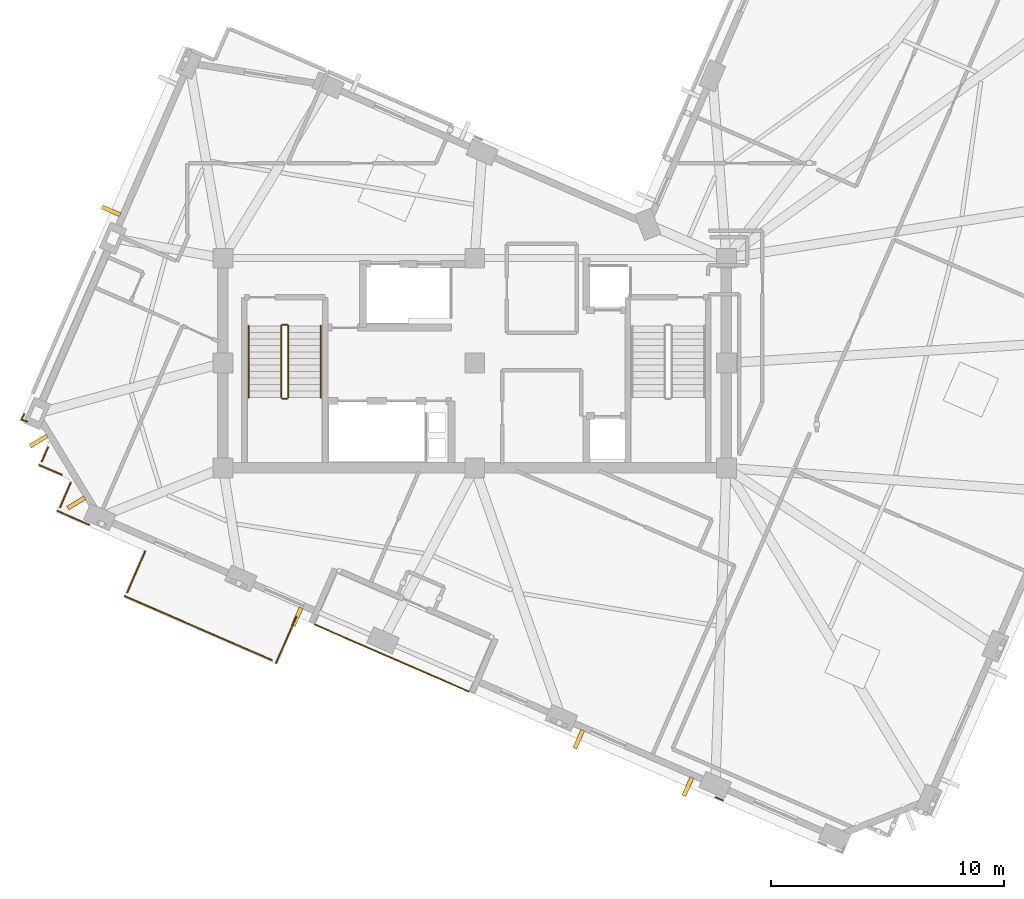
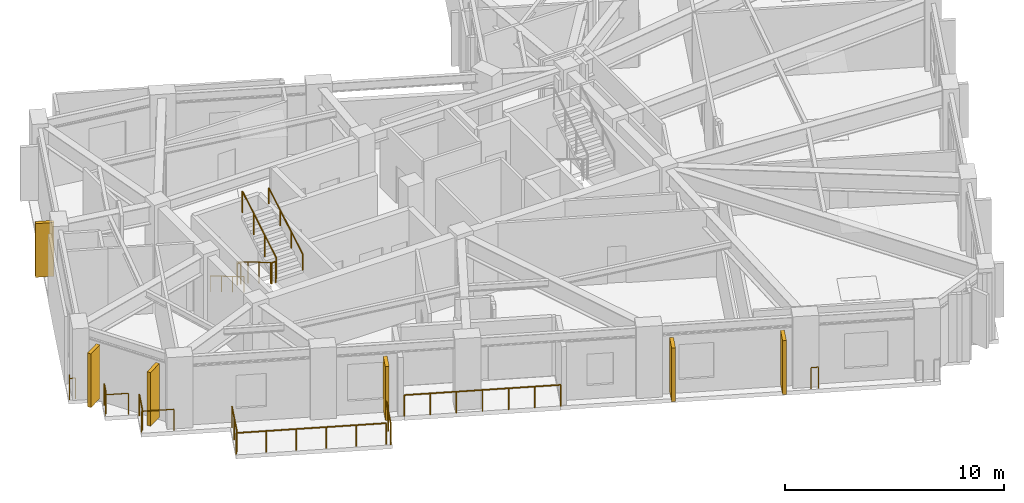
# One storey, part 9 of 12: 16 railings, 6 shading devices.
"""IFC4 building model written with IfcOpenShell, lengths in metres."""

from ifc_helpers import new_model, si_unit, direction, frame, origin, origin_2d, place, context, subcontext, project, spatial, rectangle, circle, extrude, material, layer, layer_set, type_object, element, save


model = new_model("IFC4")

# Units and contexts
model_context = context("Model", 3, precision=1e-05, world=origin(), true_north=direction((0.0, 1.0)))
body_context = subcontext(model_context, "Body", "Model", "MODEL_VIEW")
ifc_project = project(units=[si_unit("LENGTHUNIT", "METRE"), si_unit("AREAUNIT", "SQUARE_METRE"), si_unit("VOLUMEUNIT", "CUBIC_METRE"), si_unit("PLANEANGLEUNIT", "RADIAN"), si_unit("MASSUNIT", "GRAM", prefix="KILO")], contexts=[model_context])

# Site, building, storey
site_placement = place(None, origin())
site = spatial("IfcSite", under=ifc_project, at=site_placement, CompositionType="ELEMENT")
building_placement = place(site_placement, origin())
building = spatial("IfcBuilding", under=site, at=building_placement, Name="Gaonmaruhae Medical Tower", CompositionType="ELEMENT")
storey_placement = place(building_placement, frame((0.0, 0.0, 308.60009765625)))
storey = spatial("IfcBuildingStorey", under=building, at=storey_placement, Name="L74", CompositionType="ELEMENT", Elevation=308.60009765625)

# Railings
ifc_material_1 = material(Name="Stainless steel 316L and laminated safety glass", Category="steel")
ifc_layer = layer(ifc_material_1, 0.080078125)
ifc_layer_set = layer_set([ifc_layer], Name="Stainless steel 316L and laminated safety glass")
railing_type_1 = type_object("IfcRailingType", Name="GD-120 Outdoor Terrace Safety Glass & Steel Balustrade", PredefinedType="BALUSTRADE", material=ifc_layer_set)
railing_1_placement = place(storey_placement, frame((17.94140625, 1.076171875, 0.0)))
element("IfcRailing", 1, at=railing_1_placement, inside=storey, type_object=railing_type_1, Name="L74 Terrace Safety Guard RL-SLB-L74-TER-04", PredefinedType="BALUSTRADE", context=body_context, shape_type="SweptSolid", body=[
    extrude(circle(Radius=0.02392578125, at=origin_2d()), frame((0.0, 0.0, 1.17578125), z_axis=(0.91705388295, -0.398763307949, 0.0), x_axis=(0.398763307949, 0.91705388295, 0.0)), (0.0, 0.0, 1.0), 7.199951171875),
    extrude(circle(Radius=0.02099609375, at=origin_2d()), origin(), (0.0, 0.0, 1.0), 1.15185546875),
    extrude(circle(Radius=0.02099609375, at=origin_2d()), frame((1.1005859375, -0.478515625, 0.0)), (0.0, 0.0, 1.0), 1.15185546875),
    extrude(circle(Radius=0.02099609375, at=origin_2d()), frame((2.200927734375, -0.95703125, 0.0)), (0.0, 0.0, 1.0), 1.15185546875),
    extrude(circle(Radius=0.02099609375, at=origin_2d()), frame((3.30126953125, -1.435546875, 0.0)), (0.0, 0.0, 1.0), 1.15185546875),
    extrude(circle(Radius=0.02099609375, at=origin_2d()), frame((4.40185546875, -1.9140625, 0.0)), (0.0, 0.0, 1.0), 1.15185546875),
    extrude(circle(Radius=0.02099609375, at=origin_2d()), frame((5.50244140625, -2.392578125, 0.0)), (0.0, 0.0, 1.0), 1.15185546875),
    extrude(circle(Radius=0.02099609375, at=origin_2d()), frame((6.602783203125, -2.87109375, 0.0)), (0.0, 0.0, 1.0), 1.15185546875),
])
railing_2_placement = place(storey_placement, frame((7.085693359375, 7.50830078125, 0.0)))
element("IfcRailing", 2, at=railing_2_placement, inside=storey, type_object=railing_type_1, Name="L74 Perimeter Slab Edge Safety Balustrade 01", PredefinedType="BALUSTRADE", context=body_context, shape_type="SweptSolid", body=[
    extrude(circle(Radius=0.02392578125, at=origin_2d()), frame((0.0, 0.0, 1.17578125), z_axis=(-0.917059068991, 0.398751381166, 0.0), x_axis=(-0.398751381166, -0.917059068991, 0.0)), (0.0, 0.0, 1.0), 1.059814453125),
    extrude(circle(Radius=0.02099609375, at=origin_2d()), origin(), (0.0, 0.0, 1.0), 1.15185546875),
    extrude(circle(Radius=0.02099609375, at=origin_2d()), frame((-0.971923828125, 0.422607421875, 0.0)), (0.0, 0.0, 1.0), 1.15185546875),
])
railing_3_placement = place(storey_placement, frame((6.232666015625, 8.0791015625, 0.0)))
element("IfcRailing", 3, at=railing_3_placement, inside=storey, type_object=railing_type_1, Name="L74 Perimeter Slab Edge Safety Balustrade 02", PredefinedType="BALUSTRADE", context=body_context, shape_type="SweptSolid", body=[
    extrude(circle(Radius=0.02392578125, at=origin_2d()), frame((0.0, 0.0, 1.17578125), z_axis=(0.398644977145, 0.917105327755, 0.0), x_axis=(-0.917105327755, 0.398644977145, 0.0)), (0.0, 0.0, 1.0), 0.66015625),
    extrude(circle(Radius=0.02099609375, at=origin_2d()), origin(), (0.0, 0.0, 1.0), 1.15185546875),
    extrude(circle(Radius=0.02099609375, at=origin_2d()), frame((0.26318359375, 0.60546875, 0.0)), (0.0, 0.0, 1.0), 1.15185546875),
])
railing_4_placement = place(storey_placement, frame((35.453857421875, -6.4619140625, 0.0)))
element("IfcRailing", 4, at=railing_4_placement, inside=storey, type_object=railing_type_1, Name="L74 Perimeter Slab Edge Safety Balustrade 10", PredefinedType="BALUSTRADE", context=body_context, shape_type="SweptSolid", body=[
    extrude(circle(Radius=0.02392578125, at=origin_2d()), frame((0.0, 0.0, 1.17578125), z_axis=(-0.917081518132, 0.398699748056, 0.0), x_axis=(-0.398699748056, -0.917081518132, 0.0)), (0.0, 0.0, 1.0), 0.338623046875),
    extrude(circle(Radius=0.02099609375, at=origin_2d()), origin(), (0.0, 0.0, 1.0), 1.15185546875),
    extrude(circle(Radius=0.02099609375, at=origin_2d()), frame((-0.310546875, 0.135009765625, 0.0)), (0.0, 0.0, 1.0), 1.15185546875),
])
railing_5_placement = place(storey_placement, frame((17.135498046875, 1.40478515625, 0.0)))
element("IfcRailing", 5, at=railing_5_placement, inside=storey, type_object=railing_type_1, Name="L74 Perimeter Slab Edge Safety Balustrade 11", PredefinedType="BALUSTRADE", context=body_context, shape_type="SweptSolid", body=[
    extrude(circle(Radius=0.02392578125, at=origin_2d()), frame((0.0, 0.0, 1.17578125), z_axis=(-0.398688910619, -0.917086229615, 0.0), x_axis=(0.917086229615, -0.398688910619, 0.0)), (0.0, 0.0, 1.0), 2.15966796875),
    extrude(circle(Radius=0.02099609375, at=origin_2d()), origin(), (0.0, 0.0, 1.0), 1.15185546875),
    extrude(circle(Radius=0.02099609375, at=origin_2d()), frame((-0.4306640625, -0.990234375, 0.0)), (0.0, 0.0, 1.0), 1.15185546875),
    extrude(circle(Radius=0.02099609375, at=origin_2d()), frame((-0.861083984375, -1.980712890625, 0.0)), (0.0, 0.0, 1.0), 1.15185546875),
])
railing_6_placement = place(storey_placement, frame((16.1015625, -0.446533203125, 0.0)))
element("IfcRailing", 6, at=railing_6_placement, inside=storey, type_object=railing_type_1, Name="L74 Perimeter Slab Edge Safety Balustrade 12", PredefinedType="BALUSTRADE", context=body_context, shape_type="SweptSolid", body=[
    extrude(circle(Radius=0.02392578125, at=origin_2d()), frame((0.0, 0.0, 1.17578125), z_axis=(-0.917066118473, 0.398735168187, 0.0), x_axis=(-0.398735168187, -0.917066118473, 0.0)), (0.0, 0.0, 1.0), 6.89990234375),
    extrude(circle(Radius=0.02099609375, at=origin_2d()), origin(), (0.0, 0.0, 1.0), 1.15185546875),
    extrude(circle(Radius=0.02099609375, at=origin_2d()), frame((-1.265625, 0.55029296875, 0.0)), (0.0, 0.0, 1.0), 1.15185546875),
    extrude(circle(Radius=0.02099609375, at=origin_2d()), frame((-2.531005859375, 1.1005859375, 0.0)), (0.0, 0.0, 1.0), 1.15185546875),
    extrude(circle(Radius=0.02099609375, at=origin_2d()), frame((-3.796630859375, 1.650634765625, 0.0)), (0.0, 0.0, 1.0), 1.15185546875),
    extrude(circle(Radius=0.02099609375, at=origin_2d()), frame((-5.06201171875, 2.200927734375, 0.0)), (0.0, 0.0, 1.0), 1.15185546875),
    extrude(circle(Radius=0.02099609375, at=origin_2d()), frame((-6.32763671875, 2.751220703125, 0.0)), (0.0, 0.0, 1.0), 1.15185546875),
])
railing_7_placement = place(storey_placement, frame((9.89501953125, 2.457763671875, 0.0)))
element("IfcRailing", 7, at=railing_7_placement, inside=storey, type_object=railing_type_1, Name="L74 Perimeter Slab Edge Safety Balustrade 13", PredefinedType="BALUSTRADE", context=body_context, shape_type="SweptSolid", body=[
    extrude(circle(Radius=0.02392578125, at=origin_2d()), frame((0.0, 0.0, 1.17578125), z_axis=(0.398698235913, 0.917082175533, 0.0), x_axis=(-0.917082175533, 0.398698235913, 0.0)), (0.0, 0.0, 1.0), 1.921630859375),
    extrude(circle(Radius=0.02099609375, at=origin_2d()), origin(), (0.0, 0.0, 1.0), 1.15185546875),
    extrude(circle(Radius=0.02099609375, at=origin_2d()), frame((0.383056640625, 0.881103515625, 0.0)), (0.0, 0.0, 1.0), 1.15185546875),
    extrude(circle(Radius=0.02099609375, at=origin_2d()), frame((0.76611328125, 1.76220703125, 0.0)), (0.0, 0.0, 1.0), 1.15185546875),
])
railing_8_placement = place(storey_placement, frame((8.254150390625, 5.36474609375, 0.0)))
element("IfcRailing", 8, at=railing_8_placement, inside=storey, type_object=railing_type_1, Name="L74 Perimeter Slab Edge Safety Balustrade 14", PredefinedType="BALUSTRADE", context=body_context, shape_type="SweptSolid", body=[
    extrude(circle(Radius=0.02392578125, at=origin_2d()), frame((0.0, 0.0, 1.17578125), z_axis=(-0.917067444308, 0.398732118835, 0.0), x_axis=(-0.398732118835, -0.917067444308, 0.0)), (0.0, 0.0, 1.0), 1.486083984375),
    extrude(circle(Radius=0.02099609375, at=origin_2d()), origin(), (0.0, 0.0, 1.0), 1.15185546875),
    extrude(circle(Radius=0.02099609375, at=origin_2d()), frame((-1.36279296875, 0.592529296875, 0.0)), (0.0, 0.0, 1.0), 1.15185546875),
])
railing_9_placement = place(storey_placement, frame((7.01025390625, 6.10546875, 0.0)))
element("IfcRailing", 9, at=railing_9_placement, inside=storey, type_object=railing_type_1, Name="L74 Perimeter Slab Edge Safety Balustrade 15", PredefinedType="BALUSTRADE", context=body_context, shape_type="SweptSolid", body=[
    extrude(circle(Radius=0.02392578125, at=origin_2d()), frame((0.0, 0.0, 1.17578125), z_axis=(0.398664536879, 0.917096825333, 0.0), x_axis=(-0.917096825333, 0.398664536879, 0.0)), (0.0, 0.0, 1.0), 1.159912109375),
    extrude(circle(Radius=0.02099609375, at=origin_2d()), origin(), (0.0, 0.0, 1.0), 1.15185546875),
    extrude(circle(Radius=0.02099609375, at=origin_2d()), frame((0.46240234375, 1.063720703125, 0.0)), (0.0, 0.0, 1.0), 1.15185546875),
])
railing_10_placement = place(storey_placement, frame((5.611572265625, 9.78515625, 0.0)))
element("IfcRailing", 10, at=railing_10_placement, inside=storey, type_object=railing_type_1, Name="L74 Perimeter Corner Safety Balustrade 16", PredefinedType="BALUSTRADE", context=body_context, shape_type="SweptSolid", body=[
    extrude(circle(Radius=0.02392578125, at=origin_2d()), frame((0.0, 0.0, 1.17578125), z_axis=(-0.958849549831, 0.28391467167, 0.0), x_axis=(-0.28391467167, -0.958849549831, 0.0)), (0.0, 0.0, 1.0), 0.287109375),
    extrude(circle(Radius=0.02392578125, at=origin_2d()), frame((-0.275390625, 0.08154296875, 1.17578125), z_axis=(0.507726124509, 0.861518532877, 0.0), x_axis=(-0.861518532877, 0.507726124509, 0.0)), (0.0, 0.0, 1.0), 0.287109375),
    extrude(circle(Radius=0.02099609375, at=origin_2d()), origin(), (0.0, 0.0, 1.0), 1.15185546875),
    extrude(circle(Radius=0.02099609375, at=origin_2d()), frame((-0.275390625, 0.08154296875, 0.0)), (0.0, 0.0, 1.0), 1.15185546875),
    extrude(circle(Radius=0.02099609375, at=origin_2d()), frame((-0.129638671875, 0.328857421875, 0.0)), (0.0, 0.0, 1.0), 1.15185546875),
])
ifc_material_2 = material(Name="Stainless steel 304 handrail", Category="steel")
railing_type_2 = type_object("IfcRailingType", Name="HR-092 Continuous Stainless Steel Stair Handrail", PredefinedType="HANDRAIL", material=ifc_material_2)
railing_11_placement = place(storey_placement, frame((15.10009765625, 13.89990234375, 0.16650390625)))
element("IfcRailing", 11, at=railing_11_placement, inside=storey, type_object=railing_type_2, Name="L74 ST-01 stair handrail 1", PredefinedType="HANDRAIL", context=body_context, shape_type="SweptSolid", body=[
    extrude(circle(Radius=0.02392578125, at=origin_2d()), frame((0.0, 0.0, 0.8759765625), z_axis=(0.0, -0.859260807169, 0.511537745687), x_axis=(1.0, 0.0, 0.0)), (0.0, 0.0, 1.0), 3.584228515625),
    extrude(circle(Radius=0.02099609375, at=origin_2d()), origin(), (0.0, 0.0, 1.0), 0.851806640625),
    extrude(circle(Radius=0.02099609375, at=origin_2d()), frame((0.0, -1.026611328125, 0.611083984375)), (0.0, 0.0, 1.0), 0.851806640625),
    extrude(circle(Radius=0.02099609375, at=origin_2d()), frame((0.0, -2.05322265625, 1.222412109375)), (0.0, 0.0, 1.0), 0.851806640625),
    extrude(circle(Radius=0.02099609375, at=origin_2d()), frame((0.0, -3.079833984375, 1.83349609375)), (0.0, 0.0, 1.0), 0.851806640625),
])
railing_12_placement = place(storey_placement, frame((18.199951171875, 10.820068359375, 2.16650390625)))
element("IfcRailing", 12, at=railing_12_placement, inside=storey, type_object=railing_type_2, Name="L74 ST-01 stair handrail 2", PredefinedType="HANDRAIL", context=body_context, shape_type="SweptSolid", body=[
    extrude(circle(Radius=0.02392578125, at=origin_2d()), frame((0.0, 0.0, 0.8759765625), z_axis=(0.0, 0.859260807169, 0.511537745687), x_axis=(-1.0, 0.0, 0.0)), (0.0, 0.0, 1.0), 3.584228515625),
    extrude(circle(Radius=0.02099609375, at=origin_2d()), origin(), (0.0, 0.0, 1.0), 0.851806640625),
    extrude(circle(Radius=0.02099609375, at=origin_2d()), frame((0.0, 1.026611328125, 0.611083984375)), (0.0, 0.0, 1.0), 0.851806640625),
    extrude(circle(Radius=0.02099609375, at=origin_2d()), frame((0.0, 2.05322265625, 1.222412109375)), (0.0, 0.0, 1.0), 0.851806640625),
    extrude(circle(Radius=0.02099609375, at=origin_2d()), frame((0.0, 3.079833984375, 1.83349609375)), (0.0, 0.0, 1.0), 0.851806640625),
])

# Shading devices
ifc_material_3 = material(Name="Pigmented coral precast concrete C45/55", Category="concrete")
shading_device_type = type_object("IfcShadingDeviceType", Name="SD-FIN1 Tower Vertical Coral Precast Shading Fin", PredefinedType="USERDEFINED", material=ifc_material_3)
for number, where, z_axis, x_axis, name in (
    (13, (9.201416015625, 18.831298828125, 0.13232421875), (0.0, 0.0, 1.0), (0.398749068925, 0.917060074385, 0.0), "L74 Vertical Coral Precast Shading Fin N01"),
    (14, (7.705322265625, 6.2998046875, 0.13232421875), (0.0, 0.0, 1.0), (-0.519250650088, 0.854621999707, 0.0), "L74 Vertical Coral Precast Shading Fin N03"),
    (15, (6.091796875, 8.955322265625, 0.13232421875), (0.0, 0.0, 1.0), (-0.519250650088, 0.854621999707, 0.0), "L74 Vertical Coral Precast Shading Fin N03B"),
    (16, (17.182373046875, 1.41162109375, 0.122314453125), (0.0, 0.0, 1.0), (-0.917060074385, 0.398749068925, 0.0), "L74 Vertical Coral Precast Shading Fin W02"),
    (17, (33.948486328125, -5.87841796875, 0.122314453125), (0.0, 0.0, 1.0), (-0.917060074385, 0.398749068925, 0.0), "L74 Vertical Coral Precast Shading Fin W04"),
    (18, (29.266845703125, -3.8427734375, 0.122314453125), (0.0, 0.0, 1.0), (-0.917060074385, 0.398749068925, 0.0), "L74 Vertical Coral Precast Shading Fin W04B"),
):
    element("IfcShadingDevice", number, at=place(storey_placement, frame(where, z_axis=z_axis, x_axis=x_axis)), inside=storey, type_object=shading_device_type, Name=name, ObjectType="FIN", PredefinedType="USERDEFINED", context=body_context, shape_type="SweptSolid", body=[
        extrude(rectangle(XDim=0.179931640625, YDim=0.85009765625, at=origin_2d()), origin(), (0.0, 0.0, 1.0), 3.0),
    ])

# Railings
ifc_material_4 = material(Name="Stainless steel 304 balustrade", Category="steel")
railing_type_3 = type_object("IfcRailingType", Name="SG-112 Stair Well & Ramp Void Safety Balustrade", PredefinedType="BALUSTRADE", material=ifc_material_4)
railing_13_placement = place(storey_placement, frame((16.5, 13.89990234375, 0.16650390625)))
element("IfcRailing", 19, at=railing_13_placement, inside=storey, type_object=railing_type_3, Name="L74 ST-01 stair guard 1", PredefinedType="BALUSTRADE", context=body_context, shape_type="SweptSolid", body=[
    extrude(circle(Radius=0.02392578125, at=origin_2d()), frame((0.0, 0.0, 1.17578125), z_axis=(0.0, -0.859260807169, 0.511537745687), x_axis=(1.0, 0.0, 0.0)), (0.0, 0.0, 1.0), 3.584228515625),
    extrude(circle(Radius=0.02099609375, at=origin_2d()), origin(), (0.0, 0.0, 1.0), 1.15185546875),
    extrude(circle(Radius=0.02099609375, at=origin_2d()), frame((0.0, -1.026611328125, 0.611083984375)), (0.0, 0.0, 1.0), 1.15185546875),
    extrude(circle(Radius=0.02099609375, at=origin_2d()), frame((0.0, -2.05322265625, 1.222412109375)), (0.0, 0.0, 1.0), 1.15185546875),
    extrude(circle(Radius=0.02099609375, at=origin_2d()), frame((0.0, -3.079833984375, 1.83349609375)), (0.0, 0.0, 1.0), 1.15185546875),
])
railing_14_placement = place(storey_placement, frame((16.550048828125, 10.77001953125, 2.0)))
element("IfcRailing", 20, at=railing_14_placement, inside=storey, type_object=railing_type_3, Name="L74 ST-01 stair guard 2", PredefinedType="BALUSTRADE", context=body_context, shape_type="SweptSolid", body=[
    extrude(circle(Radius=0.02392578125, at=origin_2d()), frame((0.0, 0.0, 1.17578125), z_axis=(1.0, 0.0, 0.0), x_axis=(0.0, 1.0, 0.0)), (0.0, 0.0, 1.0), 0.199951171875),
    extrude(circle(Radius=0.02099609375, at=origin_2d()), origin(), (0.0, 0.0, 1.0), 1.15185546875),
    extrude(circle(Radius=0.02099609375, at=origin_2d()), frame((0.199951171875, 0.0, 0.0)), (0.0, 0.0, 1.0), 1.15185546875),
])
railing_15_placement = place(storey_placement, frame((16.800048828125, 10.820068359375, 2.16650390625)))
element("IfcRailing", 21, at=railing_15_placement, inside=storey, type_object=railing_type_3, Name="L74 ST-01 stair guard 3", PredefinedType="BALUSTRADE", context=body_context, shape_type="SweptSolid", body=[
    extrude(circle(Radius=0.02392578125, at=origin_2d()), frame((0.0, 0.0, 1.17578125), z_axis=(0.0, 0.859260807169, 0.511537745687), x_axis=(-1.0, 0.0, 0.0)), (0.0, 0.0, 1.0), 3.584228515625),
    extrude(circle(Radius=0.02099609375, at=origin_2d()), origin(), (0.0, 0.0, 1.0), 1.15185546875),
    extrude(circle(Radius=0.02099609375, at=origin_2d()), frame((0.0, 1.026611328125, 0.611083984375)), (0.0, 0.0, 1.0), 1.15185546875),
    extrude(circle(Radius=0.02099609375, at=origin_2d()), frame((0.0, 2.05322265625, 1.222412109375)), (0.0, 0.0, 1.0), 1.15185546875),
    extrude(circle(Radius=0.02099609375, at=origin_2d()), frame((0.0, 3.079833984375, 1.83349609375)), (0.0, 0.0, 1.0), 1.15185546875),
])
railing_16_placement = place(storey_placement, frame((16.550048828125, 13.949951171875, 0.0)))
element("IfcRailing", 22, at=railing_16_placement, inside=storey, type_object=railing_type_3, Name="L74 ST-01 stair guard 4", PredefinedType="BALUSTRADE", context=body_context, shape_type="SweptSolid", body=[
    extrude(circle(Radius=0.02392578125, at=origin_2d()), frame((0.0, 0.0, 1.17578125), z_axis=(1.0, 0.0, 0.0), x_axis=(0.0, 1.0, 0.0)), (0.0, 0.0, 1.0), 0.199951171875),
    extrude(circle(Radius=0.02099609375, at=origin_2d()), origin(), (0.0, 0.0, 1.0), 1.15185546875),
    extrude(circle(Radius=0.02099609375, at=origin_2d()), frame((0.199951171875, 0.0, 0.0)), (0.0, 0.0, 1.0), 1.15185546875),
])

save(model, "model.ifc")
